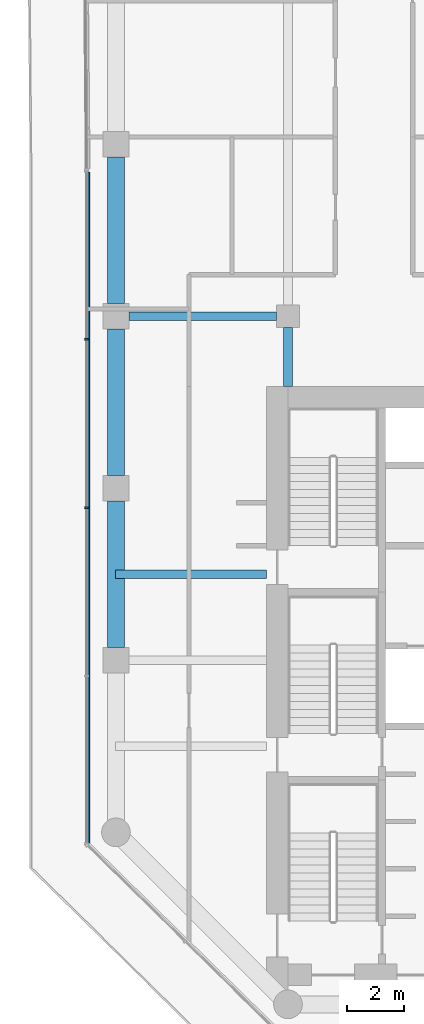
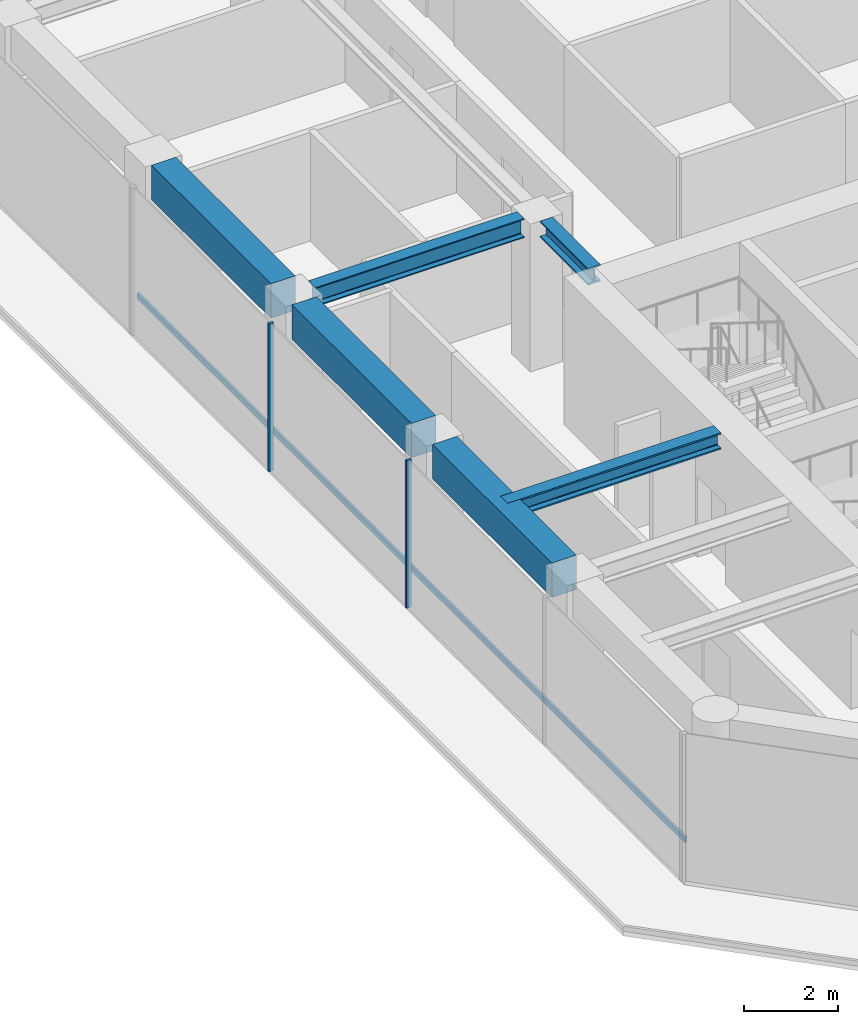
# One storey, part 4 of 21: 6 beams, 3 members, 1 element without a shape of its own.
"""IFC4 building model written with IfcOpenShell, lengths in metres."""

from ifc_helpers import new_model, si_unit, direction, frame, origin, origin_2d, place, context, subcontext, project, spatial, rectangle, i_section, extrude, material, layer, layer_set, material_profile, profile_set, type_object, element, aggregate, save


model = new_model("IFC4")

# Units and contexts
model_context = context("Model", 3, precision=1e-05, world=origin(), true_north=direction((0.0, 1.0)))
body_context = subcontext(model_context, "Body", "Model", "MODEL_VIEW")
ifc_project = project(units=[si_unit("LENGTHUNIT", "METRE"), si_unit("AREAUNIT", "SQUARE_METRE"), si_unit("VOLUMEUNIT", "CUBIC_METRE"), si_unit("PLANEANGLEUNIT", "RADIAN"), si_unit("MASSUNIT", "GRAM", prefix="KILO")], contexts=[model_context])

# Site, building, storey
site_placement = place(None, origin())
site = spatial("IfcSite", under=ifc_project, at=site_placement, CompositionType="ELEMENT")
building_placement = place(site_placement, origin())
building = spatial("IfcBuilding", under=site, at=building_placement, Name="Welwitschia Terrace Campus", CompositionType="ELEMENT")
storey_placement = place(building_placement, frame((0.0, 0.0, 108.800048828125)))
storey = spatial("IfcBuildingStorey", under=building, at=storey_placement, Name="L24", CompositionType="ELEMENT", Elevation=108.800048828125)

# Beams
ifc_material_1 = material(Name="Steel S355", Category="steel")
ifc_material_profile_1 = material_profile(ifc_material_1, i_section(OverallWidth=0.306884765625, OverallDepth=0.431884765625, WebThickness=0.02099609375, FlangeThickness=0.0400390625, FilletRadius=0.027099609375, at=origin_2d()))
ifc_profile_set_1 = profile_set([ifc_material_profile_1], Name="Steel S355")
beam_type_1 = type_object("IfcBeamType", Name="Interior girder HE 400 M", PredefinedType="BEAM", material=ifc_profile_set_1)
beam_1_placement = place(storey_placement, frame((-0.010009765625, 19.0, 3.634033203125), z_axis=(1.0, 0.0, 0.0), x_axis=(0.0, 1.0, 0.0)))
element("IfcBeam", 1, at=beam_1_placement, inside=storey, type_object=beam_type_1, Name="Girder GB3", PredefinedType="BEAM", context=body_context, shape_type="SweptSolid", body=[
    extrude(i_section(OverallWidth=0.306884765625, OverallDepth=0.431884765625, WebThickness=0.02099609375, FlangeThickness=0.0400390625, FilletRadius=0.027099609375, at=origin_2d()), origin(), (0.0, 0.0, 1.0), 5.259033203125),
])
beam_2_placement = place(storey_placement, frame((6.0, 25.551025390625, 3.634033203125), z_axis=(0.0, 1.0, 0.0), x_axis=(-1.0, 0.0, 0.0)))
element("IfcBeam", 2, at=beam_2_placement, inside=storey, type_object=beam_type_1, Name="Girder GB3", PredefinedType="BEAM", context=body_context, shape_type="SweptSolid", body=[
    extrude(i_section(OverallWidth=0.306884765625, OverallDepth=0.431884765625, WebThickness=0.02099609375, FlangeThickness=0.0400390625, FilletRadius=0.027099609375, at=origin_2d()), origin(), (0.0, 0.0, 1.0), 2.048583984375),
])

# Curtain wall, members
ifc_material_2 = material(Name="Bronze anodised aluminium", Category="aluminium")
ifc_layer = layer(ifc_material_2, 0.1201171875)
ifc_layer_set = layer_set([ifc_layer], Name="Bronze anodised aluminium")
curtain_wall_type = type_object("IfcCurtainWallType", Name="Curtain wall CW2 tower 6000", PredefinedType="NOTDEFINED", material=ifc_layer_set)
curtain_wall_placement = place(storey_placement, origin())
curtain_wall = element("IfcCurtainWall", 3, at=curtain_wall_placement, inside=storey, type_object=curtain_wall_type, Name="CW L24.1.0", PredefinedType="NOTDEFINED")
ifc_material_3 = material(Name="Bronze anodised aluminium", Category="aluminium")
ifc_material_profile_2 = material_profile(ifc_material_3, rectangle(XDim=0.1201171875, YDim=0.06005859375, at=origin_2d()))
ifc_profile_set_2 = profile_set([ifc_material_profile_2], Name="Bronze anodised aluminium")
member_type_1 = type_object("IfcMemberType", Name="Mullion 60x120", PredefinedType="MULLION", material=ifc_profile_set_2)
member_1_placement = place(storey_placement, frame((-1.030029296875, 27.200927734375, 0.0), z_axis=(0.0, 0.0, 1.0), x_axis=(1.0, 0.0, 0.0)))
member_1 = element("IfcMember", 4, at=member_1_placement, type_object=member_type_1, Name="Mullion L24.1.0.1", PredefinedType="MULLION", context=body_context, shape_type="SweptSolid", body=[
    extrude(rectangle(XDim=0.1201171875, YDim=0.06005859375, at=origin_2d()), origin(), (0.0, 0.0, 1.0), 3.849853515625),
])
member_2_placement = place(storey_placement, frame((-1.030029296875, 21.324951171875, 0.0), z_axis=(0.0, 0.0, 1.0), x_axis=(1.0, 0.0, 0.0)))
member_2 = element("IfcMember", 5, at=member_2_placement, type_object=member_type_1, Name="Mullion L24.1.0.2", PredefinedType="MULLION", context=body_context, shape_type="SweptSolid", body=[
    extrude(rectangle(XDim=0.1201171875, YDim=0.06005859375, at=origin_2d()), origin(), (0.0, 0.0, 1.0), 3.849853515625),
])

# Beams
ifc_material_4 = material(Name="Steel S355", Category="steel")
ifc_material_profile_3 = material_profile(ifc_material_4, i_section(OverallWidth=0.300048828125, OverallDepth=0.5, WebThickness=0.014404296875, FlangeThickness=0.028076171875, FilletRadius=0.027099609375, at=origin_2d()))
ifc_profile_set_3 = profile_set([ifc_material_profile_3], Name="Steel S355")
beam_type_2 = type_object("IfcBeamType", Name="Primary beam HE 500 B", PredefinedType="BEAM", material=ifc_profile_set_3)
beam_3_placement = place(storey_placement, frame((0.450439453125, 28.0, 3.599853515625), z_axis=(1.0, 0.0, 0.0), x_axis=(0.0, 1.0, 0.0)))
element("IfcBeam", 6, at=beam_3_placement, inside=storey, type_object=beam_type_2, Name="Primary beam PB3", PredefinedType="BEAM", context=body_context, shape_type="SweptSolid", body=[
    extrude(i_section(OverallWidth=0.300048828125, OverallDepth=0.5, WebThickness=0.014404296875, FlangeThickness=0.028076171875, FilletRadius=0.027099609375, at=origin_2d()), origin(), (0.0, 0.0, 1.0), 5.149169921875),
])
ifc_material_5 = material(Name="Concrete C60/75", Category="concrete")
ifc_material_profile_4 = material_profile(ifc_material_5, rectangle(XDim=0.60009765625, YDim=0.89990234375, at=origin_2d()))
ifc_profile_set_4 = profile_set([ifc_material_profile_4], Name="Concrete C60/75")
beam_type_3 = type_object("IfcBeamType", Name="Ring spandrel 600x900", PredefinedType="SPANDREL", material=ifc_profile_set_4)
for number, where, z_axis, x_axis, name in (
    (7, (0.0, 33.549560546875, 3.39990234375), (0.0, -1.0, 0.0), (1.0, 0.0, 0.0), "Spandrel SP2"),
    (8, (0.0, 27.549560546875, 3.39990234375), (0.0, -1.0, 0.0), (1.0, 0.0, 0.0), "Spandrel SP2"),
    (9, (0.0, 21.549560546875, 3.39990234375), (0.0, -1.0, 0.0), (1.0, 0.0, 0.0), "Spandrel SP2"),
):
    element("IfcBeam", number, at=place(storey_placement, frame(where, z_axis=z_axis, x_axis=x_axis)), inside=storey, type_object=beam_type_3, Name=name, PredefinedType="SPANDREL", context=body_context, shape_type="SweptSolid", body=[
        extrude(rectangle(XDim=0.60009765625, YDim=0.89990234375, at=origin_2d()), origin(), (0.0, 0.0, 1.0), 5.09912109375),
    ])

# Member
ifc_material_6 = material(Name="Bronze anodised aluminium", Category="aluminium")
ifc_material_profile_5 = material_profile(ifc_material_6, rectangle(XDim=0.06005859375, YDim=0.14990234375, at=origin_2d()))
ifc_profile_set_5 = profile_set([ifc_material_profile_5], Name="Bronze anodised aluminium")
member_type_2 = type_object("IfcMemberType", Name="Transom 60x150", PredefinedType="USERDEFINED", material=ifc_profile_set_5)
member_3_placement = place(storey_placement, frame((-0.93994140625, 33.016845703125, 1.0), z_axis=(0.0, -1.0, 0.0), x_axis=(1.0, 0.0, 0.0)))
member_3 = element("IfcMember", 10, at=member_3_placement, type_object=member_type_2, Name="Transom L24.1.0", ObjectType="TRANSOM", PredefinedType="USERDEFINED", context=body_context, shape_type="SweptSolid", body=[
    extrude(rectangle(XDim=0.06005859375, YDim=0.14990234375, at=origin_2d()), origin(), (0.0, 0.0, 1.0), 23.383544921875),
])

aggregate(curtain_wall, [member_1, member_2, member_3])

save(model, "model.ifc")
